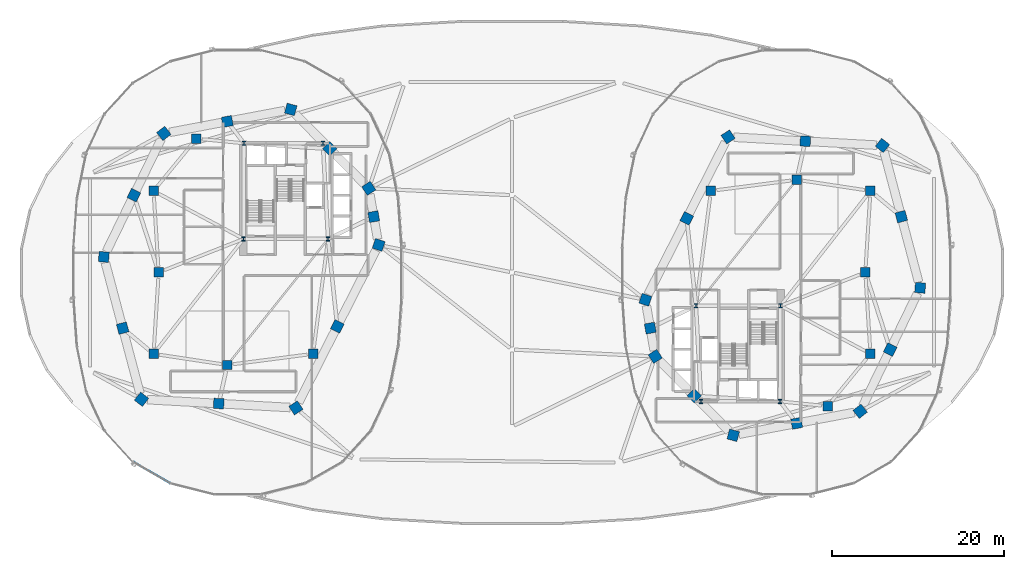
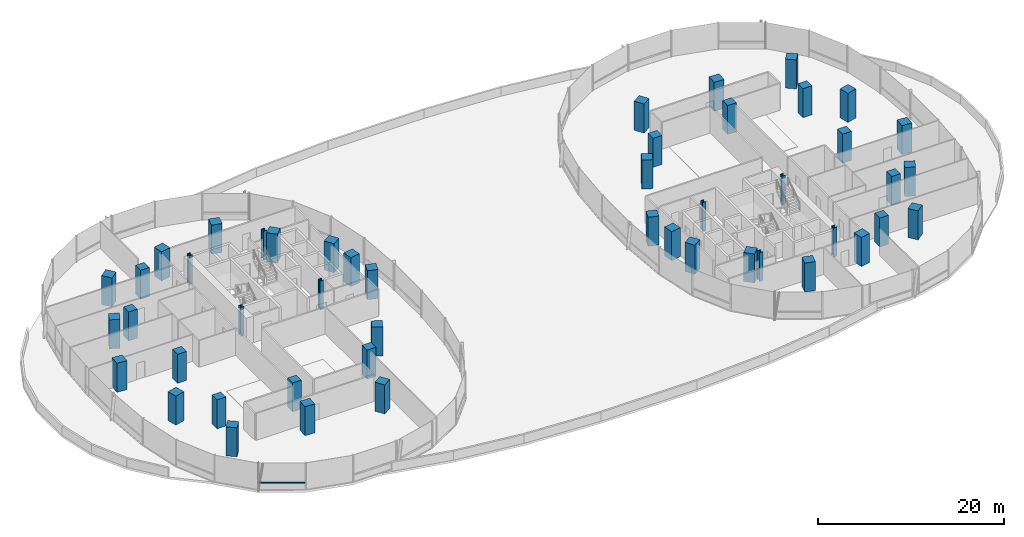
# One storey, part 1 of 28: 48 columns, 1 member, 1 element without a shape of its own.
"""IFC4 building model written with IfcOpenShell, lengths in metres."""

from ifc_helpers import new_model, si_unit, direction, frame, origin, origin_2d, place, context, subcontext, project, spatial, rectangle, i_section, extrude, material, material_profile, profile_set, type_object, element, aggregate, save


model = new_model("IFC4")

# Units and contexts
model_context = context("Model", 3, precision=1e-05, world=origin(), true_north=direction((0.0, 1.0)))
body_context = subcontext(model_context, "Body", "Model", "MODEL_VIEW")
ifc_project = project(units=[si_unit("LENGTHUNIT", "METRE"), si_unit("AREAUNIT", "SQUARE_METRE"), si_unit("VOLUMEUNIT", "CUBIC_METRE"), si_unit("PLANEANGLEUNIT", "RADIAN"), si_unit("MASSUNIT", "GRAM", prefix="KILO"), si_unit("THERMODYNAMICTEMPERATUREUNIT", "KELVIN"), si_unit("POWERUNIT", "WATT")], contexts=[model_context])

# Site, building, storey
site_placement = place(None, origin())
site = spatial("IfcSite", under=ifc_project, at=site_placement, CompositionType="ELEMENT")
building_placement = place(site_placement, origin())
building = spatial("IfcBuilding", under=site, at=building_placement, Name="Cundina Bronze Exchange", CompositionType="ELEMENT")
storey_placement = place(building_placement, frame((0.0, 0.0, 24.0)))
storey = spatial("IfcBuildingStorey", under=building, at=storey_placement, Name="L05", CompositionType="ELEMENT", Elevation=24.0)

# Columns
ifc_material_1 = material(Name="Steel ASTM A992 Grade 50", Category="steel")
ifc_material_profile_1 = material_profile(ifc_material_1, i_section(OverallWidth=0.431884765625, OverallDepth=0.498046875, WebThickness=0.0556640625, FlangeThickness=0.0888671875, FilletRadius=0.01806640625, at=origin_2d()), Name="W14X500", Category="steel")
ifc_profile_set_1 = profile_set([ifc_material_profile_1], Name="Steel ASTM A992 Grade 50")
column_type_1 = type_object("IfcColumnType", Name="COL-STL-W14A", PredefinedType="COLUMN", material=ifc_profile_set_1)
for number, where, z_axis, x_axis, name in (
    (1, (-31.300048828125, 3.89990234375, 0.0), (0.0, 0.0, 1.0), (1.0, 0.0, 0.0), "L05 Core Anchor Column W1"),
    (2, (-21.449951171875, 3.89990234375, 0.0), (0.0, 0.0, 1.0), (1.0, 0.0, 0.0), "L05 Core Anchor Column W2"),
    (3, (-22.050048828125, 15.050048828125, 0.0), (0.0, 0.0, 1.0), (1.0, 0.0, 0.0), "L05 Core Anchor Column W3"),
    (4, (-31.25, 15.050048828125, 0.0), (0.0, 0.0, 1.0), (1.0, 0.0, 0.0), "L05 Core Anchor Column W4"),
    (5, (31.300048828125, -3.89990234375, 0.0), (0.0, 0.0, 1.0), (1.0, 0.0, 0.0), "L05 Core Anchor Column E1"),
    (6, (21.449951171875, -3.89990234375, 0.0), (0.0, 0.0, 1.0), (1.0, 0.0, 0.0), "L05 Core Anchor Column E2"),
    (7, (22.050048828125, -15.050048828125, 0.0), (0.0, 0.0, 1.0), (1.0, 0.0, 0.0), "L05 Core Anchor Column E3"),
    (8, (31.25, -15.050048828125, 0.0), (0.0, 0.0, 1.0), (1.0, 0.0, 0.0), "L05 Core Anchor Column E4"),
):
    element("IfcColumn", number, at=place(storey_placement, frame(where, z_axis=z_axis, x_axis=x_axis)), inside=storey, type_object=column_type_1, Name=name, PredefinedType="COLUMN", context=body_context, shape_type="SweptSolid", body=[
        extrude(i_section(OverallWidth=0.431884765625, OverallDepth=0.498046875, WebThickness=0.0556640625, FlangeThickness=0.0888671875, FilletRadius=0.01806640625, at=origin_2d()), origin(), (0.0, 0.0, 1.0), 3.800048828125),
    ])
ifc_material_2 = material(Name="Concrete C60/75", Category="concrete")
ifc_material_profile_2 = material_profile(ifc_material_2, rectangle(XDim=1.199951171875, YDim=1.199951171875, at=origin_2d()), Name="RC1200X1200", Category="concrete")
ifc_profile_set_2 = profile_set([ifc_material_profile_2], Name="Concrete C60/75")
column_type_2 = type_object("IfcColumnType", Name="COL-Z1-1200", PredefinedType="COLUMN", material=ifc_profile_set_2)
for number, where, z_axis, x_axis, name in (
    (9, (-15.550048828125, 3.199951171875, 0.0), (0.0, 0.0, 1.0), (0.315152163383, 0.949041155016, 0.0), "L05 W Perimeter Column 00"),
    (10, (-16.125, 6.5, 0.0), (0.0, 0.0, 1.0), (-0.171585221787, 0.985169280715, 0.0), "L05 W Perimeter Column 01"),
    (11, (-16.699951171875, 9.800048828125, 0.0), (0.0, 0.0, 1.0), (-0.544199833495, 0.838955625301, 0.0), "L05 W Perimeter Column 02"),
    (12, (-21.25, 14.39990234375, 0.0), (0.0, 0.0, 1.0), (-0.703270634186, 0.710922228581, 0.0), "L05 W Perimeter Column 03"),
    (13, (-25.800048828125, 19.0, 0.0), (0.0, 0.0, 1.0), (-0.965970984022, 0.258650455301, 0.0), "L05 W Perimeter Column 04"),
    (14, (-33.199951171875, 17.60009765625, 0.0), (0.0, 0.0, 1.0), (-0.98258037664, -0.185838110843, 0.0), "L05 W Perimeter Column 05"),
    (15, (-40.60009765625, 16.199951171875, 0.0), (0.0, 0.0, 1.0), (-0.785100778485, -0.619368038909, 0.0), "L05 W Perimeter Column 06"),
    (16, (-44.10009765625, 9.0, 0.0), (0.0, 0.0, 1.0), (-0.437115766651, -0.899405251566, 0.0), "L05 W Perimeter Column 07"),
    (17, (-47.60009765625, 1.800048828125, 0.0), (0.0, 0.0, 1.0), (-0.083503921245, -0.996507448611, 0.0), "L05 W Perimeter Column 08"),
    (18, (-45.39990234375, -6.5, 0.0), (0.0, 0.0, 1.0), (0.256289373133, -0.966600102017, 0.0), "L05 W Perimeter Column 09"),
    (19, (-43.199951171875, -14.800048828125, 0.0), (0.0, 0.0, 1.0), (0.786288432137, -0.61785961309, 0.0), "L05 W Perimeter Column 10"),
    (20, (-34.199951171875, -15.300048828125, 0.0), (0.0, 0.0, 1.0), (0.998460188734, -0.055472980025, 0.0), "L05 W Perimeter Column 11"),
    (21, (-25.199951171875, -15.800048828125, 0.0), (0.0, 0.0, 1.0), (0.838099763533, 0.545516989988, 0.0), "L05 W Perimeter Column 12"),
    (22, (-20.375, -6.300048828125, 0.0), (0.0, 0.0, 1.0), (0.452901591366, 0.891560513111, 0.0), "L05 W Perimeter Column 13"),
    (23, (15.550048828125, -3.199951171875, 0.0), (0.0, 0.0, 1.0), (-0.315152163383, -0.949041155016, 0.0), "L05 E Perimeter Column 00"),
    (24, (16.125, -6.5, 0.0), (0.0, 0.0, 1.0), (0.171585221787, -0.985169280715, 0.0), "L05 E Perimeter Column 01"),
    (25, (16.699951171875, -9.800048828125, 0.0), (0.0, 0.0, 1.0), (0.544199833495, -0.838955625301, 0.0), "L05 E Perimeter Column 02"),
    (26, (21.25, -14.39990234375, 0.0), (0.0, 0.0, 1.0), (0.703270634186, -0.710922228581, 0.0), "L05 E Perimeter Column 03"),
    (27, (25.800048828125, -19.0, 0.0), (0.0, 0.0, 1.0), (0.965970984022, -0.258650455301, 0.0), "L05 E Perimeter Column 04"),
    (28, (33.199951171875, -17.60009765625, 0.0), (0.0, 0.0, 1.0), (0.98258037664, 0.185838110843, 0.0), "L05 E Perimeter Column 05"),
    (29, (40.60009765625, -16.199951171875, 0.0), (0.0, 0.0, 1.0), (0.785100778485, 0.619368038909, 0.0), "L05 E Perimeter Column 06"),
    (30, (44.10009765625, -9.0, 0.0), (0.0, 0.0, 1.0), (0.437115766651, 0.899405251566, 0.0), "L05 E Perimeter Column 07"),
    (31, (47.60009765625, -1.800048828125, 0.0), (0.0, 0.0, 1.0), (0.083503921245, 0.996507448611, 0.0), "L05 E Perimeter Column 08"),
    (32, (45.39990234375, 6.5, 0.0), (0.0, 0.0, 1.0), (-0.256289373133, 0.966600102017, 0.0), "L05 E Perimeter Column 09"),
    (33, (43.199951171875, 14.800048828125, 0.0), (0.0, 0.0, 1.0), (-0.786288432137, 0.61785961309, 0.0), "L05 E Perimeter Column 10"),
    (34, (34.199951171875, 15.300048828125, 0.0), (0.0, 0.0, 1.0), (-0.998460188734, 0.055472980025, 0.0), "L05 E Perimeter Column 11"),
    (35, (25.199951171875, 15.800048828125, 0.0), (0.0, 0.0, 1.0), (-0.838099763533, -0.545516989988, 0.0), "L05 E Perimeter Column 12"),
    (36, (20.375, 6.300048828125, 0.0), (0.0, 0.0, 1.0), (-0.452901591366, -0.891560513111, 0.0), "L05 E Perimeter Column 13"),
):
    element("IfcColumn", number, at=place(storey_placement, frame(where, z_axis=z_axis, x_axis=x_axis)), inside=storey, type_object=column_type_2, Name=name, PredefinedType="COLUMN", context=body_context, shape_type="SweptSolid", body=[
        extrude(rectangle(XDim=1.199951171875, YDim=1.199951171875, at=origin_2d()), origin(), (0.0, 0.0, 1.0), 3.800048828125),
    ])
ifc_material_profile_3 = material_profile(ifc_material_2, rectangle(XDim=1.10009765625, YDim=1.10009765625, at=origin_2d()), Name="RC1100X1100", Category="concrete")
ifc_profile_set_3 = profile_set([ifc_material_profile_3], Name="Concrete C60/75")
column_type_3 = type_object("IfcColumnType", Name="COL-Z2-1100", PredefinedType="COLUMN", material=ifc_profile_set_3)
for number, where, z_axis, x_axis, name in (
    (37, (-41.199951171875, 0.0, 0.0), (0.0, 0.0, 1.0), (1.0, 0.0, 0.0), "L05 W Inner Ring Column 1"),
    (38, (-41.800048828125, 9.5, 0.0), (0.0, 0.0, 1.0), (1.0, 0.0, 0.0), "L05 W Inner Ring Column 2"),
    (39, (-36.800048828125, 15.60009765625, 0.0), (0.0, 0.0, 1.0), (1.0, 0.0, 0.0), "L05 W Inner Ring Column 3"),
    (40, (-41.800048828125, -9.5, 0.0), (0.0, 0.0, 1.0), (1.0, 0.0, 0.0), "L05 W Inner Ring Column 4"),
    (41, (-33.199951171875, -10.800048828125, 0.0), (0.0, 0.0, 1.0), (1.0, 0.0, 0.0), "L05 W Inner Ring Column 5"),
    (42, (-23.199951171875, -9.5, 0.0), (0.0, 0.0, 1.0), (1.0, 0.0, 0.0), "L05 W Inner Ring Column 6"),
    (43, (41.199951171875, 0.0, 0.0), (0.0, 0.0, 1.0), (1.0, 0.0, 0.0), "L05 E Inner Ring Column 1"),
    (44, (41.800048828125, -9.5, 0.0), (0.0, 0.0, 1.0), (1.0, 0.0, 0.0), "L05 E Inner Ring Column 2"),
    (45, (36.800048828125, -15.60009765625, 0.0), (0.0, 0.0, 1.0), (1.0, 0.0, 0.0), "L05 E Inner Ring Column 3"),
    (46, (41.800048828125, 9.5, 0.0), (0.0, 0.0, 1.0), (1.0, 0.0, 0.0), "L05 E Inner Ring Column 4"),
    (47, (33.199951171875, 10.800048828125, 0.0), (0.0, 0.0, 1.0), (1.0, 0.0, 0.0), "L05 E Inner Ring Column 5"),
    (48, (23.199951171875, 9.5, 0.0), (0.0, 0.0, 1.0), (1.0, 0.0, 0.0), "L05 E Inner Ring Column 6"),
):
    element("IfcColumn", number, at=place(storey_placement, frame(where, z_axis=z_axis, x_axis=x_axis)), inside=storey, type_object=column_type_3, Name=name, PredefinedType="COLUMN", context=body_context, shape_type="SweptSolid", body=[
        extrude(rectangle(XDim=1.10009765625, YDim=1.10009765625, at=origin_2d()), origin(), (0.0, 0.0, 1.0), 3.800048828125),
    ])

# Curtain wall, member
ifc_material_3 = material(Name="Anodised Bronze Aluminium 6063-T6", Category="aluminium")
curtain_wall_type = type_object("IfcCurtainWallType", Name="CWS-TRD-LOW", PredefinedType="NOTDEFINED", material=ifc_material_3)
curtain_wall_placement = place(storey_placement, origin())
curtain_wall = element("IfcCurtainWall", 49, at=curtain_wall_placement, inside=storey, type_object=curtain_wall_type, Name="L05 CW-02 Curtain Wall Run CWR-L05-W3", PredefinedType="NOTDEFINED")
ifc_material_profile_4 = material_profile(ifc_material_3, rectangle(XDim=0.070068359375, YDim=0.179931640625, at=origin_2d()), Name="AL70X180", Category="aluminium")
ifc_profile_set_4 = profile_set([ifc_material_profile_4], Name="Anodised Bronze Aluminium 6063-T6")
member_type = type_object("IfcMemberType", Name="CWM-TRN-180", PredefinedType="USERDEFINED", material=ifc_profile_set_4)
member_placement = place(storey_placement, frame((-44.154052734375, -22.117919921875, 0.919921875), z_axis=(0.867097475651, -0.498138502546, 0.0), x_axis=(0.498138502546, 0.867097475651, 0.0)))
member = element("IfcMember", 50, at=member_placement, type_object=member_type, Name="CW-02 Spandrel Transom 5", ObjectType="TRANSOM", PredefinedType="USERDEFINED", context=body_context, shape_type="SweptSolid", body=[
    extrude(rectangle(XDim=0.070068359375, YDim=0.179931640625, at=origin_2d()), origin(), (0.0, 0.0, 1.0), 5.00634765625),
])
aggregate(curtain_wall, [member])

save(model, "model.ifc")
